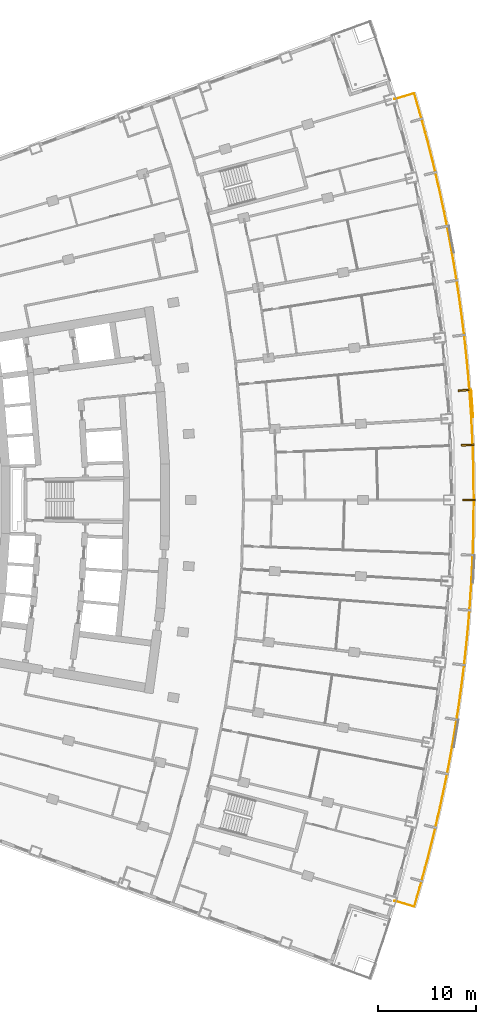
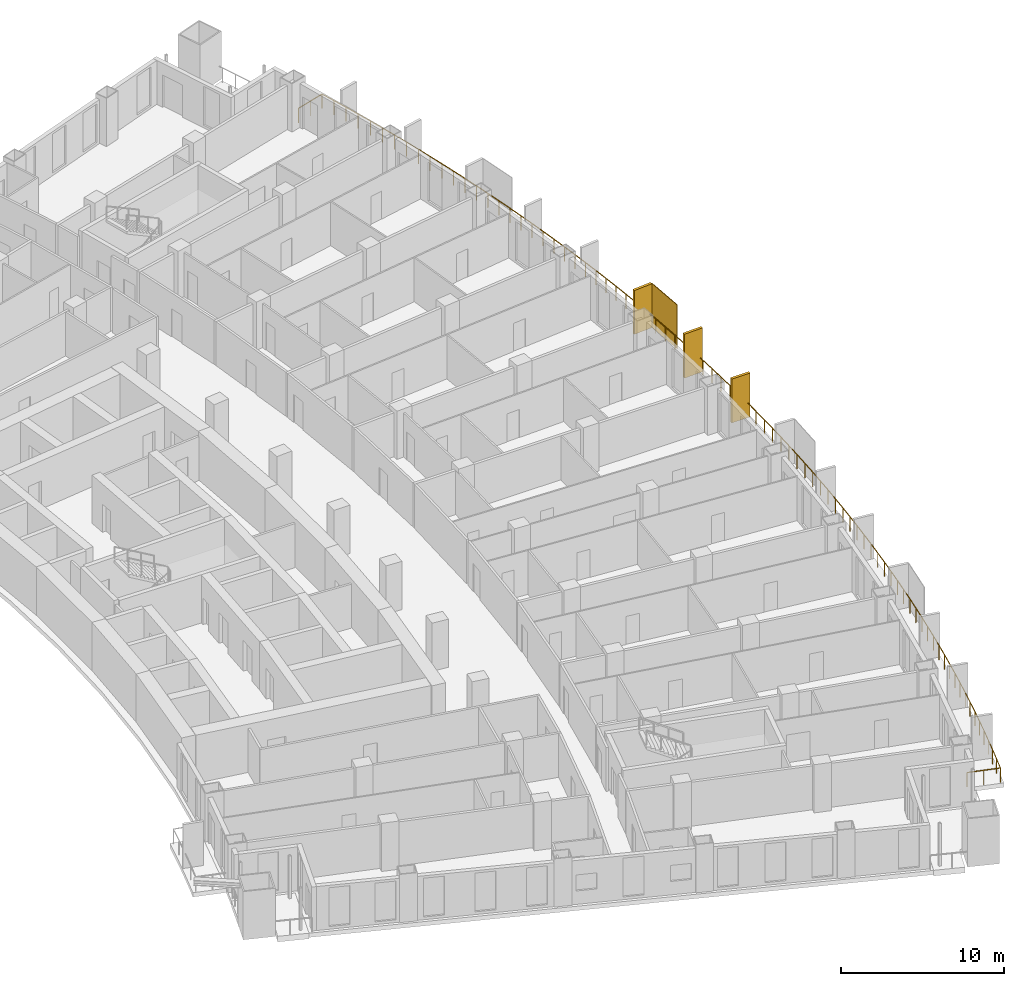
# One storey, part 24 of 25: 4 shading devices, 1 railing.
"""IFC4 building model written with IfcOpenShell, lengths in metres."""

from ifc_helpers import new_model, si_unit, direction, frame, origin, origin_2d, place, context, subcontext, project, spatial, rectangle, extrude, material, layer, layer_set, type_object, element, save


model = new_model("IFC4")

# Units and contexts
model_context = context("Model", 3, precision=1e-05, world=origin(), true_north=direction((0.0, 1.0)))
body_context = subcontext(model_context, "Body", "Model", "MODEL_VIEW")
ifc_project = project(units=[si_unit("LENGTHUNIT", "METRE"), si_unit("AREAUNIT", "SQUARE_METRE"), si_unit("VOLUMEUNIT", "CUBIC_METRE"), si_unit("PLANEANGLEUNIT", "RADIAN"), si_unit("MASSUNIT", "GRAM", prefix="KILO")], contexts=[model_context])

# Site, building, storey
site_placement = place(None, origin())
site = spatial("IfcSite", under=ifc_project, at=site_placement, CompositionType="ELEMENT")
building_placement = place(site_placement, origin())
building = spatial("IfcBuilding", under=site, at=building_placement, Name="Alderwake Tower", CompositionType="ELEMENT")
storey_placement = place(building_placement, frame((0.0, 0.0, 68.0)))
storey = spatial("IfcBuildingStorey", under=building, at=storey_placement, Name="L16", CompositionType="ELEMENT", Elevation=68.0)

# Railing
ifc_material_1 = material(Name="Stainless steel 316 rail and posts", Category="steel")
railing_type = type_object("IfcRailingType", Name="Balcony guard 1100", PredefinedType="GUARDRAIL", material=ifc_material_1)
railing_placement = place(storey_placement, frame((56.605712890625, 20.08984375, 0.0)))
element("IfcRailing", 1, at=railing_placement, inside=storey, type_object=railing_type, Name="Guard BF02", PredefinedType="GUARDRAIL", context=body_context, shape_type="SweptSolid", body=[
    extrude(rectangle(XDim=0.048095703125, YDim=0.048095703125, at=origin_2d()), frame((0.0, 0.0, 1.076171875), z_axis=(0.957986128201, -0.286814536198, 0.0), x_axis=(0.286814536198, 0.957986128201, 0.0)), (0.0, 0.0, 1.0), 2.099853515625),
    extrude(rectangle(XDim=0.048095703125, YDim=0.048095703125, at=origin_2d()), frame((2.01171875, -0.602294921875, 1.076171875), z_axis=(0.280331133603, 0.959903357392, 0.0), x_axis=(-0.959903357392, 0.280331133603, 0.0)), (0.0, 0.0, 1.0), 2.010009765625),
    extrude(rectangle(XDim=0.048095703125, YDim=0.048095703125, at=origin_2d()), frame((2.5751953125, 1.3271484375, 1.076171875), z_axis=(0.266444279754, 0.963850323332, 0.0), x_axis=(-0.963850323332, 0.266444279754, 0.0)), (0.0, 0.0, 1.0), 2.110107421875),
    extrude(rectangle(XDim=0.048095703125, YDim=0.048095703125, at=origin_2d()), frame((3.137451171875, 3.361083984375, 1.076171875), z_axis=(0.252431315985, 0.96761481526, 0.0), x_axis=(-0.96761481526, 0.252431315985, 0.0)), (0.0, 0.0, 1.0), 2.1103515625),
    extrude(rectangle(XDim=0.048095703125, YDim=0.048095703125, at=origin_2d()), frame((3.670166015625, 5.403076171875, 1.076171875), z_axis=(0.238340955225, 0.971181542793, 0.0), x_axis=(-0.971181542793, 0.238340955225, 0.0)), (0.0, 0.0, 1.0), 2.110107421875),
    extrude(rectangle(XDim=0.048095703125, YDim=0.048095703125, at=origin_2d()), frame((4.173095703125, 7.452392578125, 1.076171875), z_axis=(0.224115824877, 0.974562515716, 0.0), x_axis=(-0.974562515716, 0.224115824877, 0.0)), (0.0, 0.0, 1.0), 2.110107421875),
    extrude(rectangle(XDim=0.048095703125, YDim=0.048095703125, at=origin_2d()), frame((4.64599609375, 9.5087890625, 1.076171875), z_axis=(0.209868821237, 0.977729552521, 0.0), x_axis=(-0.977729552521, 0.209868821237, 0.0)), (0.0, 0.0, 1.0), 2.110107421875),
    extrude(rectangle(XDim=0.048095703125, YDim=0.048095703125, at=origin_2d()), frame((5.0888671875, 11.572021484375, 1.076171875), z_axis=(0.195648862485, 0.980674014445, 0.0), x_axis=(-0.980674014445, 0.195648862485, 0.0)), (0.0, 0.0, 1.0), 2.110107421875),
    extrude(rectangle(XDim=0.048095703125, YDim=0.048095703125, at=origin_2d()), frame((5.501708984375, 13.641357421875, 1.076171875), z_axis=(0.181277260189, 0.983432028632, 0.0), x_axis=(-0.983432028632, 0.181277260189, 0.0)), (0.0, 0.0, 1.0), 2.1103515625),
    extrude(rectangle(XDim=0.048095703125, YDim=0.048095703125, at=origin_2d()), frame((5.88427734375, 15.716796875, 1.076171875), z_axis=(0.166950013592, 0.985965360934, 0.0), x_axis=(-0.985965360934, 0.166950013592, 0.0)), (0.0, 0.0, 1.0), 2.110107421875),
    extrude(rectangle(XDim=0.048095703125, YDim=0.048095703125, at=origin_2d()), frame((6.236572265625, 17.79736328125, 1.076171875), z_axis=(0.152491878472, 0.988304723757, 0.0), x_axis=(-0.988304723757, 0.152491878472, 0.0)), (0.0, 0.0, 1.0), 2.110107421875),
    extrude(rectangle(XDim=0.048095703125, YDim=0.048095703125, at=origin_2d()), frame((6.558349609375, 19.8828125, 1.076171875), z_axis=(0.138035026408, 0.990427347908, 0.0), x_axis=(-0.990427347908, 0.138035026408, 0.0)), (0.0, 0.0, 1.0), 2.110107421875),
    extrude(rectangle(XDim=0.048095703125, YDim=0.048095703125, at=origin_2d()), frame((6.849609375, 21.97265625, 1.076171875), z_axis=(0.123678739733, 0.992322311216, 0.0), x_axis=(-0.992322311216, 0.123678739733, 0.0)), (0.0, 0.0, 1.0), 2.110107421875),
    extrude(rectangle(XDim=0.048095703125, YDim=0.048095703125, at=origin_2d()), frame((7.110595703125, 24.066650390625, 1.076171875), z_axis=(0.109212453251, 0.99401843044, 0.0), x_axis=(-0.99401843044, 0.109212453251, 0.0)), (0.0, 0.0, 1.0), 2.1103515625),
    extrude(rectangle(XDim=0.048095703125, YDim=0.048095703125, at=origin_2d()), frame((7.341064453125, 26.164306640625, 1.076171875), z_axis=(0.094634386331, 0.99551209582, 0.0), x_axis=(-0.99551209582, 0.094634386331, 0.0)), (0.0, 0.0, 1.0), 2.1103515625),
    extrude(rectangle(XDim=0.048095703125, YDim=0.048095703125, at=origin_2d()), frame((7.540771484375, 28.26513671875, 1.076171875), z_axis=(0.080067128937, 0.996789473692, 0.0), x_axis=(-0.996789473692, 0.080067128937, 0.0)), (0.0, 0.0, 1.0), 2.110107421875),
    extrude(rectangle(XDim=0.048095703125, YDim=0.048095703125, at=origin_2d()), frame((7.709716796875, 30.368408203125, 1.076171875), z_axis=(0.065597538993, 0.99784616193, 0.0), x_axis=(-0.99784616193, 0.065597538993, 0.0)), (0.0, 0.0, 1.0), 2.1103515625),
    extrude(rectangle(XDim=0.048095703125, YDim=0.048095703125, at=origin_2d()), frame((7.84814453125, 32.47412109375, 1.076171875), z_axis=(0.051022428276, 0.998697507663, 0.0), x_axis=(-0.998697507663, 0.051022428276, 0.0)), (0.0, 0.0, 1.0), 2.110107421875),
    extrude(rectangle(XDim=0.048095703125, YDim=0.048095703125, at=origin_2d()), frame((7.955810546875, 34.58154296875, 1.076171875), z_axis=(0.036442551647, 0.9993357496, 0.0), x_axis=(-0.9993357496, 0.036442551647, 0.0)), (0.0, 0.0, 1.0), 2.1103515625),
    extrude(rectangle(XDim=0.048095703125, YDim=0.048095703125, at=origin_2d()), frame((8.03271484375, 36.6904296875, 1.076171875), z_axis=(0.021867238393, 0.999760883354, 0.0), x_axis=(-0.999760883354, 0.021867238393, 0.0)), (0.0, 0.0, 1.0), 2.110107421875),
    extrude(rectangle(XDim=0.048095703125, YDim=0.048095703125, at=origin_2d()), frame((8.078857421875, 38.800048828125, 1.076171875), z_axis=(0.007288942083, 0.999973435309, 0.0), x_axis=(-0.999973435309, 0.007288942083, 0.0)), (0.0, 0.0, 1.0), 2.110107421875),
    extrude(rectangle(XDim=0.048095703125, YDim=0.048095703125, at=origin_2d()), frame((8.09423828125, 40.91015625, 1.076171875), z_axis=(-0.007288942083, 0.999973435309, 0.0), x_axis=(-0.999973435309, -0.007288942083, 0.0)), (0.0, 0.0, 1.0), 2.110107421875),
    extrude(rectangle(XDim=0.048095703125, YDim=0.048095703125, at=origin_2d()), frame((8.078857421875, 43.020263671875, 1.076171875), z_axis=(-0.021867238393, 0.999760883354, 0.0), x_axis=(-0.999760883354, -0.021867238393, 0.0)), (0.0, 0.0, 1.0), 2.110107421875),
    extrude(rectangle(XDim=0.048095703125, YDim=0.048095703125, at=origin_2d()), frame((8.03271484375, 45.1298828125, 1.076171875), z_axis=(-0.036442551647, 0.9993357496, 0.0), x_axis=(-0.9993357496, -0.036442551647, 0.0)), (0.0, 0.0, 1.0), 2.1103515625),
    extrude(rectangle(XDim=0.048095703125, YDim=0.048095703125, at=origin_2d()), frame((7.955810546875, 47.23876953125, 1.076171875), z_axis=(-0.051022428276, 0.998697507663, 0.0), x_axis=(-0.998697507663, -0.051022428276, 0.0)), (0.0, 0.0, 1.0), 2.110107421875),
    extrude(rectangle(XDim=0.048095703125, YDim=0.048095703125, at=origin_2d()), frame((7.84814453125, 49.34619140625, 1.076171875), z_axis=(-0.065597538993, 0.99784616193, 0.0), x_axis=(-0.99784616193, -0.065597538993, 0.0)), (0.0, 0.0, 1.0), 2.1103515625),
    extrude(rectangle(XDim=0.048095703125, YDim=0.048095703125, at=origin_2d()), frame((7.709716796875, 51.451904296875, 1.076171875), z_axis=(-0.080067128937, 0.996789473692, 0.0), x_axis=(-0.996789473692, -0.080067128937, 0.0)), (0.0, 0.0, 1.0), 2.110107421875),
    extrude(rectangle(XDim=0.048095703125, YDim=0.048095703125, at=origin_2d()), frame((7.540771484375, 53.55517578125, 1.076171875), z_axis=(-0.094634386331, 0.99551209582, 0.0), x_axis=(-0.99551209582, -0.094634386331, 0.0)), (0.0, 0.0, 1.0), 2.1103515625),
    extrude(rectangle(XDim=0.048095703125, YDim=0.048095703125, at=origin_2d()), frame((7.341064453125, 55.656005859375, 1.076171875), z_axis=(-0.109212453251, 0.99401843044, 0.0), x_axis=(-0.99401843044, -0.109212453251, 0.0)), (0.0, 0.0, 1.0), 2.1103515625),
    extrude(rectangle(XDim=0.048095703125, YDim=0.048095703125, at=origin_2d()), frame((7.110595703125, 57.753662109375, 1.076171875), z_axis=(-0.123678739733, 0.992322311216, 0.0), x_axis=(-0.992322311216, -0.123678739733, 0.0)), (0.0, 0.0, 1.0), 2.110107421875),
    extrude(rectangle(XDim=0.048095703125, YDim=0.048095703125, at=origin_2d()), frame((6.849609375, 59.84765625, 1.076171875), z_axis=(-0.138035026408, 0.990427347908, 0.0), x_axis=(-0.990427347908, -0.138035026408, 0.0)), (0.0, 0.0, 1.0), 2.110107421875),
    extrude(rectangle(XDim=0.048095703125, YDim=0.048095703125, at=origin_2d()), frame((6.558349609375, 61.9375, 1.076171875), z_axis=(-0.152491878472, 0.988304723757, 0.0), x_axis=(-0.988304723757, -0.152491878472, 0.0)), (0.0, 0.0, 1.0), 2.110107421875),
    extrude(rectangle(XDim=0.048095703125, YDim=0.048095703125, at=origin_2d()), frame((6.236572265625, 64.02294921875, 1.076171875), z_axis=(-0.166950013592, 0.985965360934, 0.0), x_axis=(-0.985965360934, -0.166950013592, 0.0)), (0.0, 0.0, 1.0), 2.110107421875),
    extrude(rectangle(XDim=0.048095703125, YDim=0.048095703125, at=origin_2d()), frame((5.88427734375, 66.103515625, 1.076171875), z_axis=(-0.181277260189, 0.983432028632, 0.0), x_axis=(-0.983432028632, -0.181277260189, 0.0)), (0.0, 0.0, 1.0), 2.1103515625),
    extrude(rectangle(XDim=0.048095703125, YDim=0.048095703125, at=origin_2d()), frame((5.501708984375, 68.178955078125, 1.076171875), z_axis=(-0.195648862485, 0.980674014445, 0.0), x_axis=(-0.980674014445, -0.195648862485, 0.0)), (0.0, 0.0, 1.0), 2.110107421875),
    extrude(rectangle(XDim=0.048095703125, YDim=0.048095703125, at=origin_2d()), frame((5.0888671875, 70.248291015625, 1.076171875), z_axis=(-0.209868821237, 0.977729552521, 0.0), x_axis=(-0.977729552521, -0.209868821237, 0.0)), (0.0, 0.0, 1.0), 2.110107421875),
    extrude(rectangle(XDim=0.048095703125, YDim=0.048095703125, at=origin_2d()), frame((4.64599609375, 72.3115234375, 1.076171875), z_axis=(-0.224115824877, 0.974562515716, 0.0), x_axis=(-0.974562515716, -0.224115824877, 0.0)), (0.0, 0.0, 1.0), 2.110107421875),
    extrude(rectangle(XDim=0.048095703125, YDim=0.048095703125, at=origin_2d()), frame((4.173095703125, 74.367919921875, 1.076171875), z_axis=(-0.238340955225, 0.971181542793, 0.0), x_axis=(-0.971181542793, -0.238340955225, 0.0)), (0.0, 0.0, 1.0), 2.110107421875),
    extrude(rectangle(XDim=0.048095703125, YDim=0.048095703125, at=origin_2d()), frame((3.670166015625, 76.417236328125, 1.076171875), z_axis=(-0.252431315985, 0.96761481526, 0.0), x_axis=(-0.96761481526, -0.252431315985, 0.0)), (0.0, 0.0, 1.0), 2.1103515625),
    extrude(rectangle(XDim=0.048095703125, YDim=0.048095703125, at=origin_2d()), frame((3.137451171875, 78.459228515625, 1.076171875), z_axis=(-0.266444279754, 0.963850323332, 0.0), x_axis=(-0.963850323332, -0.266444279754, 0.0)), (0.0, 0.0, 1.0), 2.110107421875),
    extrude(rectangle(XDim=0.048095703125, YDim=0.048095703125, at=origin_2d()), frame((2.5751953125, 80.4931640625, 1.076171875), z_axis=(-0.280331133603, 0.959903357392, 0.0), x_axis=(-0.959903357392, -0.280331133603, 0.0)), (0.0, 0.0, 1.0), 2.010009765625),
    extrude(rectangle(XDim=0.048095703125, YDim=0.048095703125, at=origin_2d()), frame((2.01171875, 82.422607421875, 1.076171875), z_axis=(-0.957986128201, -0.286814536198, 0.0), x_axis=(0.286814536198, -0.957986128201, 0.0)), (0.0, 0.0, 1.0), 2.099853515625),
    extrude(rectangle(XDim=0.0419921875, YDim=0.0419921875, at=origin_2d()), frame((0.0, 0.0, 0.0), z_axis=(0.0, 0.0, 1.0), x_axis=(0.957986128201, -0.286814536198, 0.0)), (0.0, 0.0, 1.0), 1.052001953125),
    extrude(rectangle(XDim=0.0419921875, YDim=0.0419921875, at=origin_2d()), frame((1.005859375, -0.30126953125, 0.0), z_axis=(0.0, 0.0, 1.0), x_axis=(0.957986128201, -0.286814536198, 0.0)), (0.0, 0.0, 1.0), 1.052001953125),
    extrude(rectangle(XDim=0.0419921875, YDim=0.0419921875, at=origin_2d()), frame((2.01171875, -0.602294921875, 0.0), z_axis=(0.0, 0.0, 1.0), x_axis=(0.280331133603, 0.959903357392, 0.0)), (0.0, 0.0, 1.0), 1.052001953125),
    extrude(rectangle(XDim=0.0419921875, YDim=0.0419921875, at=origin_2d()), frame((2.29345703125, 0.3623046875, 0.0), z_axis=(0.0, 0.0, 1.0), x_axis=(0.280331133603, 0.959903357392, 0.0)), (0.0, 0.0, 1.0), 1.052001953125),
    extrude(rectangle(XDim=0.0419921875, YDim=0.0419921875, at=origin_2d()), frame((2.5751953125, 1.3271484375, 0.0), z_axis=(0.0, 0.0, 1.0), x_axis=(0.266444279754, 0.963850323332, 0.0)), (0.0, 0.0, 1.0), 1.052001953125),
    extrude(rectangle(XDim=0.0419921875, YDim=0.0419921875, at=origin_2d()), frame((2.8564453125, 2.34423828125, 0.0), z_axis=(0.0, 0.0, 1.0), x_axis=(0.266444279754, 0.963850323332, 0.0)), (0.0, 0.0, 1.0), 1.052001953125),
    extrude(rectangle(XDim=0.0419921875, YDim=0.0419921875, at=origin_2d()), frame((3.137451171875, 3.361083984375, 0.0), z_axis=(0.0, 0.0, 1.0), x_axis=(0.252431315985, 0.96761481526, 0.0)), (0.0, 0.0, 1.0), 1.052001953125),
    extrude(rectangle(XDim=0.0419921875, YDim=0.0419921875, at=origin_2d()), frame((3.40380859375, 4.382080078125, 0.0), z_axis=(0.0, 0.0, 1.0), x_axis=(0.252431315985, 0.96761481526, 0.0)), (0.0, 0.0, 1.0), 1.052001953125),
    extrude(rectangle(XDim=0.0419921875, YDim=0.0419921875, at=origin_2d()), frame((3.670166015625, 5.403076171875, 0.0), z_axis=(0.0, 0.0, 1.0), x_axis=(0.238340955225, 0.971181542793, 0.0)), (0.0, 0.0, 1.0), 1.052001953125),
    extrude(rectangle(XDim=0.0419921875, YDim=0.0419921875, at=origin_2d()), frame((3.921630859375, 6.427734375, 0.0), z_axis=(0.0, 0.0, 1.0), x_axis=(0.238340955225, 0.971181542793, 0.0)), (0.0, 0.0, 1.0), 1.052001953125),
    extrude(rectangle(XDim=0.0419921875, YDim=0.0419921875, at=origin_2d()), frame((4.173095703125, 7.452392578125, 0.0), z_axis=(0.0, 0.0, 1.0), x_axis=(0.224115824877, 0.974562515716, 0.0)), (0.0, 0.0, 1.0), 1.052001953125),
    extrude(rectangle(XDim=0.0419921875, YDim=0.0419921875, at=origin_2d()), frame((4.40966796875, 8.48046875, 0.0), z_axis=(0.0, 0.0, 1.0), x_axis=(0.224115824877, 0.974562515716, 0.0)), (0.0, 0.0, 1.0), 1.052001953125),
    extrude(rectangle(XDim=0.0419921875, YDim=0.0419921875, at=origin_2d()), frame((4.64599609375, 9.5087890625, 0.0), z_axis=(0.0, 0.0, 1.0), x_axis=(0.209868821237, 0.977729552521, 0.0)), (0.0, 0.0, 1.0), 1.052001953125),
    extrude(rectangle(XDim=0.0419921875, YDim=0.0419921875, at=origin_2d()), frame((4.867431640625, 10.54052734375, 0.0), z_axis=(0.0, 0.0, 1.0), x_axis=(0.209868821237, 0.977729552521, 0.0)), (0.0, 0.0, 1.0), 1.052001953125),
    extrude(rectangle(XDim=0.0419921875, YDim=0.0419921875, at=origin_2d()), frame((5.0888671875, 11.572021484375, 0.0), z_axis=(0.0, 0.0, 1.0), x_axis=(0.195648862485, 0.980674014445, 0.0)), (0.0, 0.0, 1.0), 1.052001953125),
    extrude(rectangle(XDim=0.0419921875, YDim=0.0419921875, at=origin_2d()), frame((5.29541015625, 12.606689453125, 0.0), z_axis=(0.0, 0.0, 1.0), x_axis=(0.195648862485, 0.980674014445, 0.0)), (0.0, 0.0, 1.0), 1.052001953125),
    extrude(rectangle(XDim=0.0419921875, YDim=0.0419921875, at=origin_2d()), frame((5.501708984375, 13.641357421875, 0.0), z_axis=(0.0, 0.0, 1.0), x_axis=(0.181277260189, 0.983432028632, 0.0)), (0.0, 0.0, 1.0), 1.052001953125),
    extrude(rectangle(XDim=0.0419921875, YDim=0.0419921875, at=origin_2d()), frame((5.69287109375, 14.67919921875, 0.0), z_axis=(0.0, 0.0, 1.0), x_axis=(0.181277260189, 0.983432028632, 0.0)), (0.0, 0.0, 1.0), 1.052001953125),
    extrude(rectangle(XDim=0.0419921875, YDim=0.0419921875, at=origin_2d()), frame((5.88427734375, 15.716796875, 0.0), z_axis=(0.0, 0.0, 1.0), x_axis=(0.166950013592, 0.985965360934, 0.0)), (0.0, 0.0, 1.0), 1.052001953125),
    extrude(rectangle(XDim=0.0419921875, YDim=0.0419921875, at=origin_2d()), frame((6.060546875, 16.757080078125, 0.0), z_axis=(0.0, 0.0, 1.0), x_axis=(0.166950013592, 0.985965360934, 0.0)), (0.0, 0.0, 1.0), 1.052001953125),
    extrude(rectangle(XDim=0.0419921875, YDim=0.0419921875, at=origin_2d()), frame((6.236572265625, 17.79736328125, 0.0), z_axis=(0.0, 0.0, 1.0), x_axis=(0.152491878472, 0.988304723757, 0.0)), (0.0, 0.0, 1.0), 1.052001953125),
    extrude(rectangle(XDim=0.0419921875, YDim=0.0419921875, at=origin_2d()), frame((6.3974609375, 18.840087890625, 0.0), z_axis=(0.0, 0.0, 1.0), x_axis=(0.152491878472, 0.988304723757, 0.0)), (0.0, 0.0, 1.0), 1.052001953125),
    extrude(rectangle(XDim=0.0419921875, YDim=0.0419921875, at=origin_2d()), frame((6.558349609375, 19.8828125, 0.0), z_axis=(0.0, 0.0, 1.0), x_axis=(0.138035026408, 0.990427347908, 0.0)), (0.0, 0.0, 1.0), 1.052001953125),
    extrude(rectangle(XDim=0.0419921875, YDim=0.0419921875, at=origin_2d()), frame((6.7041015625, 20.927734375, 0.0), z_axis=(0.0, 0.0, 1.0), x_axis=(0.138035026408, 0.990427347908, 0.0)), (0.0, 0.0, 1.0), 1.052001953125),
    extrude(rectangle(XDim=0.0419921875, YDim=0.0419921875, at=origin_2d()), frame((6.849609375, 21.97265625, 0.0), z_axis=(0.0, 0.0, 1.0), x_axis=(0.123678739733, 0.992322311216, 0.0)), (0.0, 0.0, 1.0), 1.052001953125),
    extrude(rectangle(XDim=0.0419921875, YDim=0.0419921875, at=origin_2d()), frame((6.97998046875, 23.01953125, 0.0), z_axis=(0.0, 0.0, 1.0), x_axis=(0.123678739733, 0.992322311216, 0.0)), (0.0, 0.0, 1.0), 1.052001953125),
    extrude(rectangle(XDim=0.0419921875, YDim=0.0419921875, at=origin_2d()), frame((7.110595703125, 24.066650390625, 0.0), z_axis=(0.0, 0.0, 1.0), x_axis=(0.109212453251, 0.99401843044, 0.0)), (0.0, 0.0, 1.0), 1.052001953125),
    extrude(rectangle(XDim=0.0419921875, YDim=0.0419921875, at=origin_2d()), frame((7.225830078125, 25.115478515625, 0.0), z_axis=(0.0, 0.0, 1.0), x_axis=(0.109212453251, 0.99401843044, 0.0)), (0.0, 0.0, 1.0), 1.052001953125),
    extrude(rectangle(XDim=0.0419921875, YDim=0.0419921875, at=origin_2d()), frame((7.341064453125, 26.164306640625, 0.0), z_axis=(0.0, 0.0, 1.0), x_axis=(0.094634386331, 0.99551209582, 0.0)), (0.0, 0.0, 1.0), 1.052001953125),
    extrude(rectangle(XDim=0.0419921875, YDim=0.0419921875, at=origin_2d()), frame((7.44091796875, 27.21484375, 0.0), z_axis=(0.0, 0.0, 1.0), x_axis=(0.094634386331, 0.99551209582, 0.0)), (0.0, 0.0, 1.0), 1.052001953125),
    extrude(rectangle(XDim=0.0419921875, YDim=0.0419921875, at=origin_2d()), frame((7.540771484375, 28.26513671875, 0.0), z_axis=(0.0, 0.0, 1.0), x_axis=(0.080067128937, 0.996789473692, 0.0)), (0.0, 0.0, 1.0), 1.052001953125),
    extrude(rectangle(XDim=0.0419921875, YDim=0.0419921875, at=origin_2d()), frame((7.625244140625, 29.31689453125, 0.0), z_axis=(0.0, 0.0, 1.0), x_axis=(0.080067128937, 0.996789473692, 0.0)), (0.0, 0.0, 1.0), 1.052001953125),
    extrude(rectangle(XDim=0.0419921875, YDim=0.0419921875, at=origin_2d()), frame((7.709716796875, 30.368408203125, 0.0), z_axis=(0.0, 0.0, 1.0), x_axis=(0.065597538993, 0.99784616193, 0.0)), (0.0, 0.0, 1.0), 1.052001953125),
    extrude(rectangle(XDim=0.0419921875, YDim=0.0419921875, at=origin_2d()), frame((7.77880859375, 31.42138671875, 0.0), z_axis=(0.0, 0.0, 1.0), x_axis=(0.065597538993, 0.99784616193, 0.0)), (0.0, 0.0, 1.0), 1.052001953125),
    extrude(rectangle(XDim=0.0419921875, YDim=0.0419921875, at=origin_2d()), frame((7.84814453125, 32.47412109375, 0.0), z_axis=(0.0, 0.0, 1.0), x_axis=(0.051022428276, 0.998697507663, 0.0)), (0.0, 0.0, 1.0), 1.052001953125),
    extrude(rectangle(XDim=0.0419921875, YDim=0.0419921875, at=origin_2d()), frame((7.90185546875, 33.52783203125, 0.0), z_axis=(0.0, 0.0, 1.0), x_axis=(0.051022428276, 0.998697507663, 0.0)), (0.0, 0.0, 1.0), 1.052001953125),
    extrude(rectangle(XDim=0.0419921875, YDim=0.0419921875, at=origin_2d()), frame((7.955810546875, 34.58154296875, 0.0), z_axis=(0.0, 0.0, 1.0), x_axis=(0.036442551647, 0.9993357496, 0.0)), (0.0, 0.0, 1.0), 1.052001953125),
    extrude(rectangle(XDim=0.0419921875, YDim=0.0419921875, at=origin_2d()), frame((7.994140625, 35.635986328125, 0.0), z_axis=(0.0, 0.0, 1.0), x_axis=(0.036442551647, 0.9993357496, 0.0)), (0.0, 0.0, 1.0), 1.052001953125),
    extrude(rectangle(XDim=0.0419921875, YDim=0.0419921875, at=origin_2d()), frame((8.03271484375, 36.6904296875, 0.0), z_axis=(0.0, 0.0, 1.0), x_axis=(0.021867238393, 0.999760883354, 0.0)), (0.0, 0.0, 1.0), 1.052001953125),
    extrude(rectangle(XDim=0.0419921875, YDim=0.0419921875, at=origin_2d()), frame((8.0556640625, 37.7451171875, 0.0), z_axis=(0.0, 0.0, 1.0), x_axis=(0.021867238393, 0.999760883354, 0.0)), (0.0, 0.0, 1.0), 1.052001953125),
    extrude(rectangle(XDim=0.0419921875, YDim=0.0419921875, at=origin_2d()), frame((8.078857421875, 38.800048828125, 0.0), z_axis=(0.0, 0.0, 1.0), x_axis=(0.007288942083, 0.999973435309, 0.0)), (0.0, 0.0, 1.0), 1.052001953125),
    extrude(rectangle(XDim=0.0419921875, YDim=0.0419921875, at=origin_2d()), frame((8.08642578125, 39.85498046875, 0.0), z_axis=(0.0, 0.0, 1.0), x_axis=(0.007288942083, 0.999973435309, 0.0)), (0.0, 0.0, 1.0), 1.052001953125),
    extrude(rectangle(XDim=0.0419921875, YDim=0.0419921875, at=origin_2d()), frame((8.09423828125, 40.91015625, 0.0), z_axis=(0.0, 0.0, 1.0), x_axis=(-0.007288942083, 0.999973435309, 0.0)), (0.0, 0.0, 1.0), 1.052001953125),
    extrude(rectangle(XDim=0.0419921875, YDim=0.0419921875, at=origin_2d()), frame((8.08642578125, 41.96533203125, 0.0), z_axis=(0.0, 0.0, 1.0), x_axis=(-0.007288942083, 0.999973435309, 0.0)), (0.0, 0.0, 1.0), 1.052001953125),
    extrude(rectangle(XDim=0.0419921875, YDim=0.0419921875, at=origin_2d()), frame((8.078857421875, 43.020263671875, 0.0), z_axis=(0.0, 0.0, 1.0), x_axis=(-0.021867238393, 0.999760883354, 0.0)), (0.0, 0.0, 1.0), 1.052001953125),
    extrude(rectangle(XDim=0.0419921875, YDim=0.0419921875, at=origin_2d()), frame((8.0556640625, 44.0751953125, 0.0), z_axis=(0.0, 0.0, 1.0), x_axis=(-0.021867238393, 0.999760883354, 0.0)), (0.0, 0.0, 1.0), 1.052001953125),
    extrude(rectangle(XDim=0.0419921875, YDim=0.0419921875, at=origin_2d()), frame((8.03271484375, 45.1298828125, 0.0), z_axis=(0.0, 0.0, 1.0), x_axis=(-0.036442551647, 0.9993357496, 0.0)), (0.0, 0.0, 1.0), 1.052001953125),
    extrude(rectangle(XDim=0.0419921875, YDim=0.0419921875, at=origin_2d()), frame((7.994140625, 46.184326171875, 0.0), z_axis=(0.0, 0.0, 1.0), x_axis=(-0.036442551647, 0.9993357496, 0.0)), (0.0, 0.0, 1.0), 1.052001953125),
    extrude(rectangle(XDim=0.0419921875, YDim=0.0419921875, at=origin_2d()), frame((7.955810546875, 47.23876953125, 0.0), z_axis=(0.0, 0.0, 1.0), x_axis=(-0.051022428276, 0.998697507663, 0.0)), (0.0, 0.0, 1.0), 1.052001953125),
    extrude(rectangle(XDim=0.0419921875, YDim=0.0419921875, at=origin_2d()), frame((7.90185546875, 48.29248046875, 0.0), z_axis=(0.0, 0.0, 1.0), x_axis=(-0.051022428276, 0.998697507663, 0.0)), (0.0, 0.0, 1.0), 1.052001953125),
    extrude(rectangle(XDim=0.0419921875, YDim=0.0419921875, at=origin_2d()), frame((7.84814453125, 49.34619140625, 0.0), z_axis=(0.0, 0.0, 1.0), x_axis=(-0.065597538993, 0.99784616193, 0.0)), (0.0, 0.0, 1.0), 1.052001953125),
    extrude(rectangle(XDim=0.0419921875, YDim=0.0419921875, at=origin_2d()), frame((7.77880859375, 50.39892578125, 0.0), z_axis=(0.0, 0.0, 1.0), x_axis=(-0.065597538993, 0.99784616193, 0.0)), (0.0, 0.0, 1.0), 1.052001953125),
    extrude(rectangle(XDim=0.0419921875, YDim=0.0419921875, at=origin_2d()), frame((7.709716796875, 51.451904296875, 0.0), z_axis=(0.0, 0.0, 1.0), x_axis=(-0.080067128937, 0.996789473692, 0.0)), (0.0, 0.0, 1.0), 1.052001953125),
    extrude(rectangle(XDim=0.0419921875, YDim=0.0419921875, at=origin_2d()), frame((7.625244140625, 52.50341796875, 0.0), z_axis=(0.0, 0.0, 1.0), x_axis=(-0.080067128937, 0.996789473692, 0.0)), (0.0, 0.0, 1.0), 1.052001953125),
    extrude(rectangle(XDim=0.0419921875, YDim=0.0419921875, at=origin_2d()), frame((7.540771484375, 53.55517578125, 0.0), z_axis=(0.0, 0.0, 1.0), x_axis=(-0.094634386331, 0.99551209582, 0.0)), (0.0, 0.0, 1.0), 1.052001953125),
    extrude(rectangle(XDim=0.0419921875, YDim=0.0419921875, at=origin_2d()), frame((7.44091796875, 54.60546875, 0.0), z_axis=(0.0, 0.0, 1.0), x_axis=(-0.094634386331, 0.99551209582, 0.0)), (0.0, 0.0, 1.0), 1.052001953125),
    extrude(rectangle(XDim=0.0419921875, YDim=0.0419921875, at=origin_2d()), frame((7.341064453125, 55.656005859375, 0.0), z_axis=(0.0, 0.0, 1.0), x_axis=(-0.109212453251, 0.99401843044, 0.0)), (0.0, 0.0, 1.0), 1.052001953125),
    extrude(rectangle(XDim=0.0419921875, YDim=0.0419921875, at=origin_2d()), frame((7.225830078125, 56.704833984375, 0.0), z_axis=(0.0, 0.0, 1.0), x_axis=(-0.109212453251, 0.99401843044, 0.0)), (0.0, 0.0, 1.0), 1.052001953125),
    extrude(rectangle(XDim=0.0419921875, YDim=0.0419921875, at=origin_2d()), frame((7.110595703125, 57.753662109375, 0.0), z_axis=(0.0, 0.0, 1.0), x_axis=(-0.123678739733, 0.992322311216, 0.0)), (0.0, 0.0, 1.0), 1.052001953125),
    extrude(rectangle(XDim=0.0419921875, YDim=0.0419921875, at=origin_2d()), frame((6.97998046875, 58.80078125, 0.0), z_axis=(0.0, 0.0, 1.0), x_axis=(-0.123678739733, 0.992322311216, 0.0)), (0.0, 0.0, 1.0), 1.052001953125),
    extrude(rectangle(XDim=0.0419921875, YDim=0.0419921875, at=origin_2d()), frame((6.849609375, 59.84765625, 0.0), z_axis=(0.0, 0.0, 1.0), x_axis=(-0.138035026408, 0.990427347908, 0.0)), (0.0, 0.0, 1.0), 1.052001953125),
    extrude(rectangle(XDim=0.0419921875, YDim=0.0419921875, at=origin_2d()), frame((6.7041015625, 60.892578125, 0.0), z_axis=(0.0, 0.0, 1.0), x_axis=(-0.138035026408, 0.990427347908, 0.0)), (0.0, 0.0, 1.0), 1.052001953125),
    extrude(rectangle(XDim=0.0419921875, YDim=0.0419921875, at=origin_2d()), frame((6.558349609375, 61.9375, 0.0), z_axis=(0.0, 0.0, 1.0), x_axis=(-0.152491878472, 0.988304723757, 0.0)), (0.0, 0.0, 1.0), 1.052001953125),
    extrude(rectangle(XDim=0.0419921875, YDim=0.0419921875, at=origin_2d()), frame((6.3974609375, 62.980224609375, 0.0), z_axis=(0.0, 0.0, 1.0), x_axis=(-0.152491878472, 0.988304723757, 0.0)), (0.0, 0.0, 1.0), 1.052001953125),
    extrude(rectangle(XDim=0.0419921875, YDim=0.0419921875, at=origin_2d()), frame((6.236572265625, 64.02294921875, 0.0), z_axis=(0.0, 0.0, 1.0), x_axis=(-0.166950013592, 0.985965360934, 0.0)), (0.0, 0.0, 1.0), 1.052001953125),
    extrude(rectangle(XDim=0.0419921875, YDim=0.0419921875, at=origin_2d()), frame((6.060546875, 65.063232421875, 0.0), z_axis=(0.0, 0.0, 1.0), x_axis=(-0.166950013592, 0.985965360934, 0.0)), (0.0, 0.0, 1.0), 1.052001953125),
    extrude(rectangle(XDim=0.0419921875, YDim=0.0419921875, at=origin_2d()), frame((5.88427734375, 66.103515625, 0.0), z_axis=(0.0, 0.0, 1.0), x_axis=(-0.181277260189, 0.983432028632, 0.0)), (0.0, 0.0, 1.0), 1.052001953125),
    extrude(rectangle(XDim=0.0419921875, YDim=0.0419921875, at=origin_2d()), frame((5.69287109375, 67.14111328125, 0.0), z_axis=(0.0, 0.0, 1.0), x_axis=(-0.181277260189, 0.983432028632, 0.0)), (0.0, 0.0, 1.0), 1.052001953125),
    extrude(rectangle(XDim=0.0419921875, YDim=0.0419921875, at=origin_2d()), frame((5.501708984375, 68.178955078125, 0.0), z_axis=(0.0, 0.0, 1.0), x_axis=(-0.195648862485, 0.980674014445, 0.0)), (0.0, 0.0, 1.0), 1.052001953125),
    extrude(rectangle(XDim=0.0419921875, YDim=0.0419921875, at=origin_2d()), frame((5.29541015625, 69.213623046875, 0.0), z_axis=(0.0, 0.0, 1.0), x_axis=(-0.195648862485, 0.980674014445, 0.0)), (0.0, 0.0, 1.0), 1.052001953125),
    extrude(rectangle(XDim=0.0419921875, YDim=0.0419921875, at=origin_2d()), frame((5.0888671875, 70.248291015625, 0.0), z_axis=(0.0, 0.0, 1.0), x_axis=(-0.209868821237, 0.977729552521, 0.0)), (0.0, 0.0, 1.0), 1.052001953125),
    extrude(rectangle(XDim=0.0419921875, YDim=0.0419921875, at=origin_2d()), frame((4.867431640625, 71.27978515625, 0.0), z_axis=(0.0, 0.0, 1.0), x_axis=(-0.209868821237, 0.977729552521, 0.0)), (0.0, 0.0, 1.0), 1.052001953125),
    extrude(rectangle(XDim=0.0419921875, YDim=0.0419921875, at=origin_2d()), frame((4.64599609375, 72.3115234375, 0.0), z_axis=(0.0, 0.0, 1.0), x_axis=(-0.224115824877, 0.974562515716, 0.0)), (0.0, 0.0, 1.0), 1.052001953125),
    extrude(rectangle(XDim=0.0419921875, YDim=0.0419921875, at=origin_2d()), frame((4.40966796875, 73.33984375, 0.0), z_axis=(0.0, 0.0, 1.0), x_axis=(-0.224115824877, 0.974562515716, 0.0)), (0.0, 0.0, 1.0), 1.052001953125),
    extrude(rectangle(XDim=0.0419921875, YDim=0.0419921875, at=origin_2d()), frame((4.173095703125, 74.367919921875, 0.0), z_axis=(0.0, 0.0, 1.0), x_axis=(-0.238340955225, 0.971181542793, 0.0)), (0.0, 0.0, 1.0), 1.052001953125),
    extrude(rectangle(XDim=0.0419921875, YDim=0.0419921875, at=origin_2d()), frame((3.921630859375, 75.392578125, 0.0), z_axis=(0.0, 0.0, 1.0), x_axis=(-0.238340955225, 0.971181542793, 0.0)), (0.0, 0.0, 1.0), 1.052001953125),
    extrude(rectangle(XDim=0.0419921875, YDim=0.0419921875, at=origin_2d()), frame((3.670166015625, 76.417236328125, 0.0), z_axis=(0.0, 0.0, 1.0), x_axis=(-0.252431315985, 0.96761481526, 0.0)), (0.0, 0.0, 1.0), 1.052001953125),
    extrude(rectangle(XDim=0.0419921875, YDim=0.0419921875, at=origin_2d()), frame((3.40380859375, 77.438232421875, 0.0), z_axis=(0.0, 0.0, 1.0), x_axis=(-0.252431315985, 0.96761481526, 0.0)), (0.0, 0.0, 1.0), 1.052001953125),
    extrude(rectangle(XDim=0.0419921875, YDim=0.0419921875, at=origin_2d()), frame((3.137451171875, 78.459228515625, 0.0), z_axis=(0.0, 0.0, 1.0), x_axis=(-0.266444279754, 0.963850323332, 0.0)), (0.0, 0.0, 1.0), 1.052001953125),
    extrude(rectangle(XDim=0.0419921875, YDim=0.0419921875, at=origin_2d()), frame((2.8564453125, 79.47607421875, 0.0), z_axis=(0.0, 0.0, 1.0), x_axis=(-0.266444279754, 0.963850323332, 0.0)), (0.0, 0.0, 1.0), 1.052001953125),
    extrude(rectangle(XDim=0.0419921875, YDim=0.0419921875, at=origin_2d()), frame((2.5751953125, 80.4931640625, 0.0), z_axis=(0.0, 0.0, 1.0), x_axis=(-0.280331133603, 0.959903357392, 0.0)), (0.0, 0.0, 1.0), 1.052001953125),
    extrude(rectangle(XDim=0.0419921875, YDim=0.0419921875, at=origin_2d()), frame((2.29345703125, 81.4580078125, 0.0), z_axis=(0.0, 0.0, 1.0), x_axis=(-0.280331133603, 0.959903357392, 0.0)), (0.0, 0.0, 1.0), 1.052001953125),
    extrude(rectangle(XDim=0.0419921875, YDim=0.0419921875, at=origin_2d()), frame((2.01171875, 82.422607421875, 0.0), z_axis=(0.0, 0.0, 1.0), x_axis=(-0.957986128201, -0.286814536198, 0.0)), (0.0, 0.0, 1.0), 1.052001953125),
    extrude(rectangle(XDim=0.0419921875, YDim=0.0419921875, at=origin_2d()), frame((1.005859375, 82.12158203125, 0.0), z_axis=(0.0, 0.0, 1.0), x_axis=(-0.957986128201, -0.286814536198, 0.0)), (0.0, 0.0, 1.0), 1.052001953125),
    extrude(rectangle(XDim=0.0419921875, YDim=0.0419921875, at=origin_2d()), frame((0.0, 81.8203125, 0.0), z_axis=(0.0, 0.0, 1.0), x_axis=(-0.957986128201, -0.286814536198, 0.0)), (0.0, 0.0, 1.0), 1.052001953125),
])

# Shading devices
ifc_material_2 = material(Name="Bronze anodised aluminium", Category="aluminium")
ifc_layer_1 = layer(ifc_material_2, 0.179931640625)
ifc_layer_set_1 = layer_set([ifc_layer_1], Name="Facade fin 1300")
shading_device_type_1 = type_object("IfcShadingDeviceType", Name="Facade fin 1300", PredefinedType="USERDEFINED", material=ifc_layer_set_1)
for number, where, z_axis, x_axis, name in (
    (2, (64.199951171875, 61.0, 0.0), (0.0, 0.0, 1.0), (1.0, 0.0, 0.0), "Fin"),
    (3, (64.0908203125, 66.60791015625, 0.0), (0.0, 0.0, 1.0), (0.999243494356, 0.038890088543, 0.0), "Fin"),
    (4, (63.763916015625, 72.20751953125, 0.0), (0.0, 0.0, 1.0), (0.996975122026, 0.077721335943, 0.0), "Fin"),
):
    element("IfcShadingDevice", number, at=place(storey_placement, frame(where, z_axis=z_axis, x_axis=x_axis)), inside=storey, type_object=shading_device_type_1, Name=name, ObjectType="FIN", PredefinedType="USERDEFINED", context=body_context, shape_type="SweptSolid", body=[
        extrude(rectangle(XDim=1.300048828125, YDim=0.179931640625, at=origin_2d()), origin(), (0.0, 0.0, 1.0), 3.280029296875),
    ])
ifc_material_3 = material(Name="Perforated bronze anodised aluminium", Category="aluminium")
ifc_layer_2 = layer(ifc_material_3, 0.050048828125)
ifc_layer_set_2 = layer_set([ifc_layer_2], Name="Perforated screen panel")
shading_device_type_2 = type_object("IfcShadingDeviceType", Name="Perforated screen panel", PredefinedType="USERDEFINED", material=ifc_layer_set_2)
shading_device_placement = place(storey_placement, frame((64.53271484375, 70.8505859375, 0.0), z_axis=(0.0, 0.0, 1.0), x_axis=(0.997685465774, 0.067997877779, 0.0)))
element("IfcShadingDevice", 5, at=shading_device_placement, inside=storey, type_object=shading_device_type_2, Name="Screen panel", ObjectType="SCREEN", PredefinedType="USERDEFINED", context=body_context, shape_type="SweptSolid", body=[
    extrude(rectangle(XDim=0.050048828125, YDim=2.824951171875, at=origin_2d()), origin(), (0.0, 0.0, 1.0), 3.280029296875),
])

save(model, "model.ifc")
